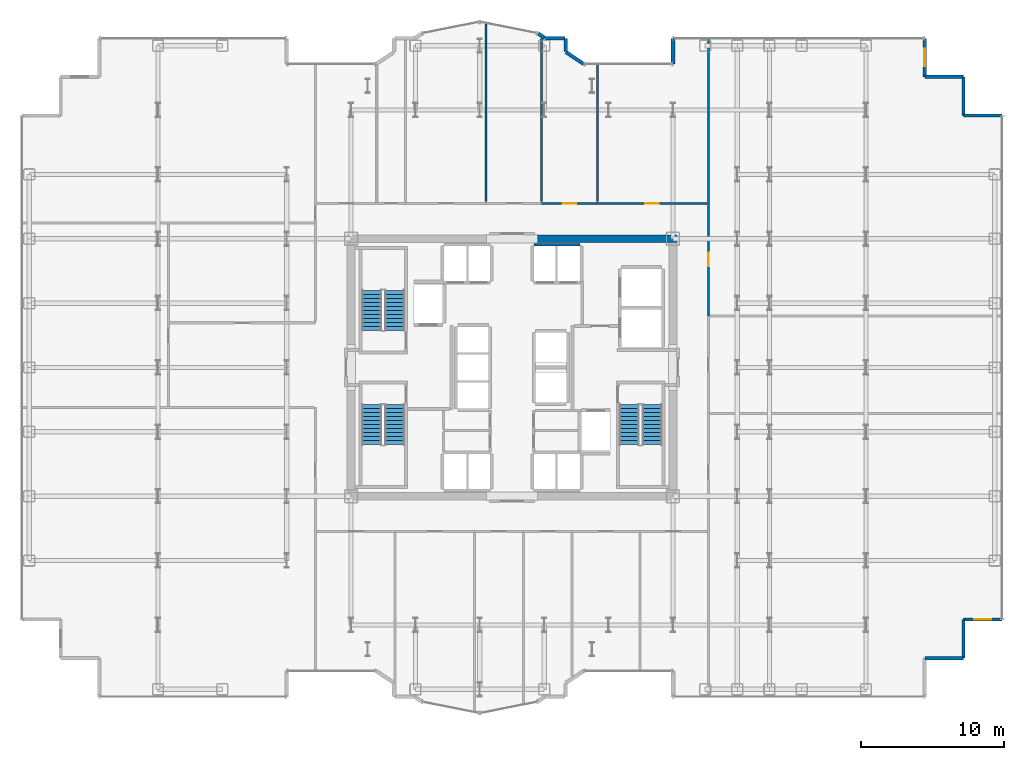
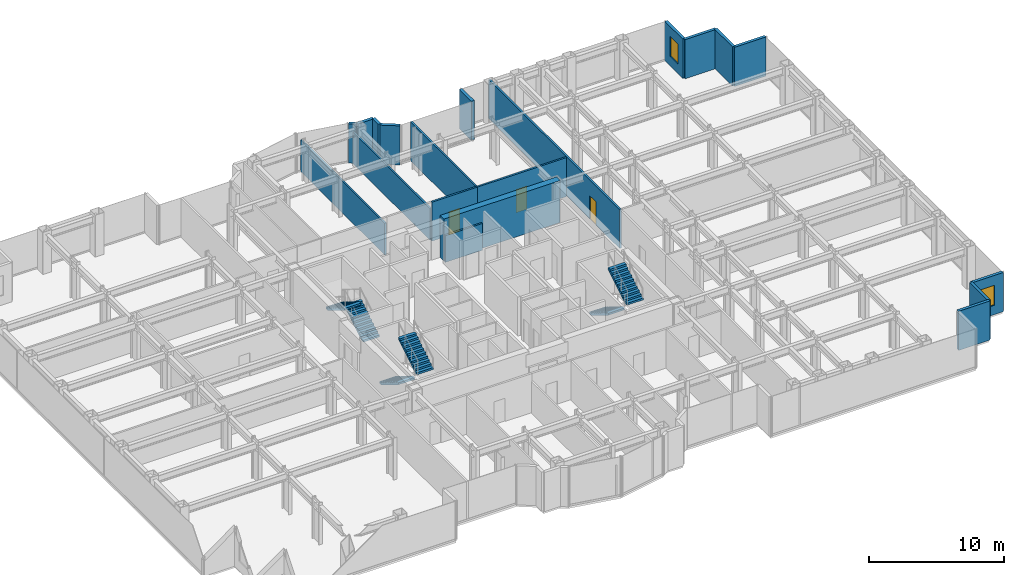
# One storey, part 24 of 25: 20 walls, 6 stair flights, 3 doors, 2 windows, 5 openings, 3 elements without a shape of their own.
"""IFC4 building model written with IfcOpenShell, lengths in metres."""

from ifc_helpers import new_model, si_unit, direction, frame, frame_2d, origin, place, context, subcontext, project, spatial, polyline, rectangle, outline, extrude, source, transform, mapped, material, layer, layer_set, type_object, element, fill, aggregate, save


model = new_model("IFC4")

# Units and contexts
model_context = context("Model", 3, precision=1e-05, world=origin(), true_north=direction((0.0, 1.0)))
body_context = subcontext(model_context, "Body", "Model", "MODEL_VIEW")
ifc_project = project(units=[si_unit("LENGTHUNIT", "METRE"), si_unit("AREAUNIT", "SQUARE_METRE"), si_unit("VOLUMEUNIT", "CUBIC_METRE"), si_unit("PLANEANGLEUNIT", "RADIAN"), si_unit("MASSUNIT", "GRAM", prefix="KILO")], contexts=[model_context])

# Site, building, storey
site_placement = place(None, origin())
site = spatial("IfcSite", under=ifc_project, at=site_placement, CompositionType="ELEMENT")
building_placement = place(site_placement, origin())
building = spatial("IfcBuilding", under=site, at=building_placement, Name="Nefas-Gora Pilgrimage Tower", CompositionType="ELEMENT")
storey_placement = place(building_placement, frame((0.0, 0.0, 109.800048828125)))
storey = spatial("IfcBuildingStorey", under=building, at=storey_placement, Name="L26", CompositionType="ELEMENT", Elevation=109.800048828125)

# Walls
ifc_material_1 = material(Name="Concrete C60/75", Category="concrete")
ifc_layer_1 = layer(ifc_material_1, 0.550048828125)
ifc_layer_set_1 = layer_set([ifc_layer_1], Name="Concrete C60/75")
wall_type_1 = type_object("IfcWallType", Name="SW-CORE-550", PredefinedType="SHEAR", material=ifc_layer_set_1)
shared_shape_1 = source(origin(), body_context, "Body", "SweptSolid", [
    extrude(rectangle(XDim=9.974853515625, YDim=0.550048828125, at=frame_2d((4.9873046875, 0.0))), origin(), (0.0, 0.0, 1.0), 3.800048828125),
])
wall_1_placement = place(storey_placement, frame((1.550048828125, 9.0, 0.0), z_axis=(0.0, 0.0, 1.0), x_axis=(1.0, 0.0, 0.0)))
element("IfcWall", 1, at=wall_1_placement, inside=storey, type_object=wall_type_1, Name="L26 Core Shear Wall N-East", PredefinedType="SHEAR", context=body_context, shape_type="MappedRepresentation", body=[
    mapped(shared_shape_1, transform((0.0, 0.0, 0.0), x_axis=(1.0, 0.0, 0.0), y_axis=(0.0, 1.0, 0.0), z_axis=(0.0, 0.0, 1.0), scale=1.0)),
])
ifc_material_2 = material(Name="Precast concrete C40/50", Category="concrete")
ifc_layer_2 = layer(ifc_material_2, 0.260009765625)
ifc_layer_set_2 = layer_set([ifc_layer_2], Name="Precast concrete C40/50")
wall_type_2 = type_object("IfcWallType", Name="EW-PORTAL-260", PredefinedType="SOLIDWALL", material=ifc_layer_set_2)
shared_shape_2 = source(origin(), body_context, "Body", "SweptSolid", [
    extrude(rectangle(XDim=1.800048828125, YDim=0.260009765625, at=frame_2d((0.89990234375, 0.0))), origin(), (0.0, 0.0, 1.0), 3.550048828125),
])
wall_2_placement = place(storey_placement, frame((11.25, 23.02001953125, 0.0), z_axis=(0.0, 0.0, 1.0), x_axis=(0.0, -1.0, 0.0)))
element("IfcWall", 2, at=wall_2_placement, inside=storey, type_object=wall_type_2, Name="L26 Lobe Shoulder Precast Spandrel Pier 10", PredefinedType="SOLIDWALL", context=body_context, shape_type="MappedRepresentation", body=[
    mapped(shared_shape_2, transform((0.0, 0.0, 0.0), x_axis=(1.0, 0.0, 0.0), y_axis=(0.0, 1.0, 0.0), z_axis=(0.0, 0.0, 1.0), scale=1.0)),
])
ifc_material_3 = material(Name="Precast concrete C45/55", Category="concrete")
ifc_layer_3 = layer(ifc_material_3, 0.239990234375)
ifc_layer_set_3 = layer_set([ifc_layer_3], Name="Precast concrete C45/55")
wall_type_3 = type_object("IfcWallType", Name="EW-SERR-240", PredefinedType="SHEAR", material=ifc_layer_set_3)
shared_shape_3 = source(origin(), body_context, "Body", "SweptSolid", [
    extrude(rectangle(XDim=2.699951171875, YDim=0.239990234375, at=frame_2d((1.35009765625, 0.0))), origin(), (0.0, 0.0, 1.0), 3.550048828125),
])
for number, where, z_axis, x_axis, name in (
    (3, (28.8701171875, -20.320068359375, 0.0), (0.0, 0.0, 1.0), (1.0, 0.0, 0.0), "L26 Serrated Corner Shear Pier Wall 3"),
    (4, (31.570068359375, -20.320068359375, 0.0), (0.0, 0.0, 1.0), (0.0, 1.0, 0.0), "L26 Serrated Corner Shear Pier Wall 4"),
):
    element("IfcWall", number, at=place(storey_placement, frame(where, z_axis=z_axis, x_axis=x_axis)), inside=storey, type_object=wall_type_3, Name=name, PredefinedType="SHEAR", context=body_context, shape_type="MappedRepresentation", body=[
        mapped(shared_shape_3, transform((0.0, 0.0, 0.0), x_axis=(1.0, 0.0, 0.0), y_axis=(0.0, 1.0, 0.0), z_axis=(0.0, 0.0, 1.0), scale=1.0)),
    ])

# Wall, opening, window
wall_3_placement = place(storey_placement, frame((31.570068359375, -17.6201171875, 0.0), z_axis=(0.0, 0.0, 1.0), x_axis=(1.0, 0.0, 0.0)))
wall_3 = element("IfcWall", 5, at=wall_3_placement, inside=storey, type_object=wall_type_3, Name="L26 Serrated Corner Shear Pier Wall 5", PredefinedType="SHEAR", context=body_context, shape_type="MappedRepresentation", body=[
    mapped(shared_shape_3, transform((0.0, 0.0, 0.0), x_axis=(1.0, 0.0, 0.0), y_axis=(0.0, 1.0, 0.0), z_axis=(0.0, 0.0, 1.0), scale=1.0)),
])
opening_1_placement = place(wall_3_placement, frame((0.75, 0.0, 0.85009765625)))
opening_1 = element("IfcOpeningElement", 6, at=opening_1_placement, cuts=wall_3, Name="Opening W-V1", PredefinedType="OPENING", context=body_context, shape_type="SweptSolid", body=[
    extrude(rectangle(XDim=1.199951171875, YDim=1.800048828125, at=frame_2d((0.60009765625, 0.89990234375))), frame((0.0, 0.1298828125, 0.0), z_axis=(0.0, -1.0, 0.0), x_axis=(1.0, 0.0, 0.0)), (0.0, 0.0, 1.0), 0.260009765625),
])
ifc_material_4 = material(Name="Dark ceramic-fritted operable aluminium-glass window", Category="aluminium")
window_type = type_object("IfcWindowType", Name="WIN-VENT-1200x1800", PartitioningType="SINGLE_PANEL", PredefinedType="WINDOW", material=ifc_material_4)
shared_shape_4 = source(origin(), body_context, "Body", "SweptSolid", [
    extrude(rectangle(XDim=1.199951171875, YDim=1.800048828125, at=frame_2d((0.60009765625, 0.89990234375))), frame((0.0, 0.030029296875, 0.0), z_axis=(0.0, -1.0, 0.0), x_axis=(1.0, 0.0, 0.0)), (0.0, 0.0, 1.0), 0.06005859375),
])
window_1_placement = place(opening_1_placement, origin())
window_1 = element("IfcWindow", 7, at=window_1_placement, inside=storey, type_object=window_type, Name="L26 Operable Parallel-Outswing Window 5", OverallHeight=1.800048828125, OverallWidth=1.199951171875, PartitioningType="SINGLE_PANEL", PredefinedType="WINDOW", context=body_context, shape_type="MappedRepresentation", body=[
    mapped(shared_shape_4, transform((0.0, 0.0, 0.0), x_axis=(1.0, 0.0, 0.0), y_axis=(0.0, 1.0, 0.0), z_axis=(0.0, 0.0, 1.0), scale=1.0)),
])
fill(opening_1, window_1)

# Walls
for number, where, z_axis, x_axis, name in (
    (8, (34.27001953125, 17.6201171875, 0.0), (0.0, 0.0, 1.0), (-1.0, 0.0, 0.0), "L26 Serrated Corner Shear Pier Wall 6"),
    (9, (31.570068359375, 17.6201171875, 0.0), (0.0, 0.0, 1.0), (0.0, 1.0, 0.0), "L26 Serrated Corner Shear Pier Wall 7"),
    (10, (31.570068359375, 20.320068359375, 0.0), (0.0, 0.0, 1.0), (-1.0, 0.0, 0.0), "L26 Serrated Corner Shear Pier Wall 8"),
):
    element("IfcWall", number, at=place(storey_placement, frame(where, z_axis=z_axis, x_axis=x_axis)), inside=storey, type_object=wall_type_3, Name=name, PredefinedType="SHEAR", context=body_context, shape_type="MappedRepresentation", body=[
        mapped(shared_shape_3, transform((0.0, 0.0, 0.0), x_axis=(1.0, 0.0, 0.0), y_axis=(0.0, 1.0, 0.0), z_axis=(0.0, 0.0, 1.0), scale=1.0)),
    ])

# Wall, opening, window
wall_4_placement = place(storey_placement, frame((28.8701171875, 20.320068359375, 0.0), z_axis=(0.0, 0.0, 1.0), x_axis=(0.0, 1.0, 0.0)))
wall_4 = element("IfcWall", 11, at=wall_4_placement, inside=storey, type_object=wall_type_3, Name="L26 Serrated Corner Shear Pier Wall 9", PredefinedType="SHEAR", context=body_context, shape_type="MappedRepresentation", body=[
    mapped(shared_shape_3, transform((0.0, 0.0, 0.0), x_axis=(1.0, 0.0, 0.0), y_axis=(0.0, 1.0, 0.0), z_axis=(0.0, 0.0, 1.0), scale=1.0)),
])
opening_2_placement = place(wall_4_placement, frame((0.75, 0.0, 0.85009765625)))
opening_2 = element("IfcOpeningElement", 12, at=opening_2_placement, cuts=wall_4, Name="Opening W-V1", PredefinedType="OPENING", context=body_context, shape_type="SweptSolid", body=[
    extrude(rectangle(XDim=1.199951171875, YDim=1.800048828125, at=frame_2d((0.60009765625, 0.89990234375))), frame((0.0, 0.1298828125, 0.0), z_axis=(0.0, -1.0, 0.0), x_axis=(1.0, 0.0, 0.0)), (0.0, 0.0, 1.0), 0.260009765625),
])
window_2_placement = place(opening_2_placement, origin())
window_2 = element("IfcWindow", 13, at=window_2_placement, inside=storey, type_object=window_type, Name="L26 Operable Parallel-Outswing Window 9", OverallHeight=1.800048828125, OverallWidth=1.199951171875, PartitioningType="SINGLE_PANEL", PredefinedType="WINDOW", context=body_context, shape_type="MappedRepresentation", body=[
    mapped(shared_shape_4, transform((0.0, 0.0, 0.0), x_axis=(1.0, 0.0, 0.0), y_axis=(0.0, 1.0, 0.0), z_axis=(0.0, 0.0, 1.0), scale=1.0)),
])
fill(opening_2, window_2)

# Walls
shared_shape_5 = source(origin(), body_context, "Body", "SweptSolid", [
    extrude(rectangle(XDim=1.468994140625, YDim=0.260009765625, at=frame_2d((0.734375, 0.0))), origin(), (0.0, 0.0, 1.0), 3.550048828125),
])
wall_5_placement = place(storey_placement, frame((4.99462890625, 21.235595703125, 0.0), z_axis=(0.0, 0.0, 1.0), x_axis=(-0.831461760506, 0.555581983884, 0.0)))
element("IfcWall", 14, at=wall_5_placement, inside=storey, type_object=wall_type_2, Name="L26 Lobe Shoulder Precast Spandrel Pier 11", PredefinedType="SOLIDWALL", context=body_context, shape_type="MappedRepresentation", body=[
    mapped(shared_shape_5, transform((0.0, 0.0, 0.0), x_axis=(1.0, 0.0, 0.0), y_axis=(0.0, 1.0, 0.0), z_axis=(0.0, 0.0, 1.0), scale=1.0)),
])
shared_shape_6 = source(origin(), body_context, "Body", "SweptSolid", [
    extrude(rectangle(XDim=0.896728515625, YDim=0.260009765625, at=frame_2d((0.4482421875, 0.0))), origin(), (0.0, 0.0, 1.0), 3.550048828125),
])
wall_6_placement = place(storey_placement, frame((3.75, 22.09521484375, 0.0), z_axis=(0.0, 0.0, 1.0), x_axis=(0.0, 1.0, 0.0)))
element("IfcWall", 15, at=wall_6_placement, inside=storey, type_object=wall_type_2, Name="L26 Lobe Shoulder Precast Spandrel Pier 12", PredefinedType="SOLIDWALL", context=body_context, shape_type="MappedRepresentation", body=[
    mapped(shared_shape_6, transform((0.0, 0.0, 0.0), x_axis=(1.0, 0.0, 0.0), y_axis=(0.0, 1.0, 0.0), z_axis=(0.0, 0.0, 1.0), scale=1.0)),
])
shared_shape_7 = source(origin(), body_context, "Body", "SweptSolid", [
    extrude(rectangle(XDim=1.369873046875, YDim=0.260009765625, at=frame_2d((0.68505859375, 0.0))), origin(), (0.0, 0.0, 1.0), 3.550048828125),
])
wall_7_placement = place(storey_placement, frame((3.721923828125, 23.02001953125, 0.0), z_axis=(0.0, 0.0, 1.0), x_axis=(-1.0, 0.0, 0.0)))
element("IfcWall", 16, at=wall_7_placement, inside=storey, type_object=wall_type_2, Name="L26 Lobe Shoulder Precast Spandrel Pier 13", PredefinedType="SOLIDWALL", context=body_context, shape_type="MappedRepresentation", body=[
    mapped(shared_shape_7, transform((0.0, 0.0, 0.0), x_axis=(1.0, 0.0, 0.0), y_axis=(0.0, 1.0, 0.0), z_axis=(0.0, 0.0, 1.0), scale=1.0)),
])
shared_shape_8 = source(origin(), body_context, "Body", "SweptSolid", [
    extrude(rectangle(XDim=0.5654296875, YDim=0.260009765625, at=frame_2d((0.28271484375, 0.0))), origin(), (0.0, 0.0, 1.0), 3.550048828125),
])
wall_8_placement = place(storey_placement, frame((2.30078125, 23.03564453125, 0.0), z_axis=(0.0, 0.0, 1.0), x_axis=(-0.831651492666, 0.555297933317, 0.0)))
element("IfcWall", 17, at=wall_8_placement, inside=storey, type_object=wall_type_2, Name="L26 Lobe Shoulder Precast Spandrel Pier 14", PredefinedType="SOLIDWALL", context=body_context, shape_type="MappedRepresentation", body=[
    mapped(shared_shape_8, transform((0.0, 0.0, 0.0), x_axis=(1.0, 0.0, 0.0), y_axis=(0.0, 1.0, 0.0), z_axis=(0.0, 0.0, 1.0), scale=1.0)),
])
ifc_material_5 = material(Name="Gypsum acoustic stud partition")
ifc_layer_4 = layer(ifc_material_5, 0.159912109375)
ifc_layer_set_4 = layer_set([ifc_layer_4], Name="Gypsum acoustic stud partition")
wall_type_4 = type_object("IfcWallType", Name="IW-CORR-160", PredefinedType="PARTITIONING", material=ifc_layer_set_4)
shared_shape_9 = source(origin(), body_context, "Body", "SweptSolid", [
    extrude(rectangle(XDim=3.199951171875, YDim=0.159912109375, at=frame_2d((1.60009765625, 0.0))), origin(), (0.0, 0.0, 1.0), 2.425048828125),
])
wall_9_placement = place(storey_placement, frame((4.75, 8.580078125, 0.0), z_axis=(0.0, 0.0, 1.0), x_axis=(-1.0, 0.0, 0.0)))
element("IfcWall", 18, at=wall_9_placement, inside=storey, type_object=wall_type_4, Name="L26 Hoistway Wall PL1-E-N", PredefinedType="PARTITIONING", context=body_context, shape_type="MappedRepresentation", body=[
    mapped(shared_shape_9, transform((0.0, 0.0, 0.0), x_axis=(1.0, 0.0, 0.0), y_axis=(0.0, 1.0, 0.0), z_axis=(0.0, 0.0, 1.0), scale=1.0)),
])
ifc_material_6 = material(Name="Gypsum twin-stud partition")
ifc_layer_5 = layer(ifc_material_6, 0.139892578125)
ifc_layer_set_5 = layer_set([ifc_layer_5], Name="Gypsum twin-stud partition")
wall_type_5 = type_object("IfcWallType", Name="IW-UNIT-140", PredefinedType="PARTITIONING", material=ifc_layer_set_5)
shared_shape_10 = source(origin(), body_context, "Body", "SweptSolid", [
    extrude(rectangle(XDim=9.64990234375, YDim=0.139892578125, at=frame_2d((4.824951171875, 0.0))), origin(), (0.0, 0.0, 1.0), 3.534912109375),
])
wall_10_placement = place(storey_placement, frame((5.969970703125, 11.590087890625, 0.0), z_axis=(0.0, 0.0, 1.0), x_axis=(0.0, 1.0, 0.0)))
element("IfcWall", 19, at=wall_10_placement, inside=storey, type_object=wall_type_5, Name="L26 Pilgrim Contemplative Lounge Partition Wall 44", PredefinedType="PARTITIONING", context=body_context, shape_type="MappedRepresentation", body=[
    mapped(shared_shape_10, transform((0.0, 0.0, 0.0), x_axis=(1.0, 0.0, 0.0), y_axis=(0.0, 1.0, 0.0), z_axis=(0.0, 0.0, 1.0), scale=1.0)),
])

# Wall, opening, door
shared_shape_11 = source(origin(), body_context, "Body", "SweptSolid", [
    extrude(rectangle(XDim=19.445068359375, YDim=0.159912109375, at=frame_2d((9.72265625, 0.0))), origin(), (0.0, 0.0, 1.0), 3.534912109375),
])
wall_11_placement = place(storey_placement, frame((13.739990234375, 3.594970703125, 0.0), z_axis=(0.0, 0.0, 1.0), x_axis=(0.0, 1.0, 0.0)))
wall_11 = element("IfcWall", 20, at=wall_11_placement, inside=storey, type_object=wall_type_4, Name="L26 Pilgrim Fellowship Seminar Room Partition Wall 39", PredefinedType="PARTITIONING", context=body_context, shape_type="MappedRepresentation", body=[
    mapped(shared_shape_11, transform((0.0, 0.0, 0.0), x_axis=(1.0, 0.0, 0.0), y_axis=(0.0, 1.0, 0.0), z_axis=(0.0, 0.0, 1.0), scale=1.0)),
])
opening_3_placement = place(wall_11_placement, frame((3.482421875, 0.0, 0.0)))
opening_3 = element("IfcOpeningElement", 21, at=opening_3_placement, cuts=wall_11, Name="Opening ID-GR1", PredefinedType="OPENING", context=body_context, shape_type="SweptSolid", body=[
    extrude(rectangle(XDim=0.949951171875, YDim=2.10009765625, at=frame_2d((0.47509765625, 1.050048828125))), frame((0.0, 0.08984375, 0.0), z_axis=(0.0, -1.0, 0.0), x_axis=(1.0, 0.0, 0.0)), (0.0, 0.0, 1.0), 0.179931640625),
])
ifc_material_7 = material(Name="Solid core oak fire-rated guest entrance door")
door_type = type_object("IfcDoorType", Name="DR-INT-GUEST-950", OperationType="NOTDEFINED", PredefinedType="DOOR", material=ifc_material_7)
shared_shape_12 = source(origin(), body_context, "Body", "SweptSolid", [
    extrude(rectangle(XDim=0.949951171875, YDim=2.10009765625, at=frame_2d((0.47509765625, 1.050048828125))), frame((0.0, 0.02490234375, 0.0), z_axis=(0.0, -1.0, 0.0), x_axis=(1.0, 0.0, 0.0)), (0.0, 0.0, 1.0), 0.050048828125),
])
door_1_placement = place(opening_3_placement, origin())
door_1 = element("IfcDoor", 22, at=door_1_placement, inside=storey, type_object=door_type, Name="L26 Pilgrim Fellowship Seminar Room Door 17", OperationType="SINGLE_SWING_LEFT", OverallHeight=2.10009765625, OverallWidth=0.949951171875, PredefinedType="DOOR", context=body_context, shape_type="MappedRepresentation", body=[
    mapped(shared_shape_12, transform((0.0, 0.0, 0.0), x_axis=(1.0, 0.0, 0.0), y_axis=(0.0, 1.0, 0.0), z_axis=(0.0, 0.0, 1.0), scale=1.0)),
])
fill(opening_3, door_1)

shared_shape_13 = source(origin(), body_context, "Body", "SweptSolid", [
    extrude(rectangle(XDim=7.66015625, YDim=0.159912109375, at=frame_2d((3.830078125, 0.0))), origin(), (0.0, 0.0, 1.0), 3.534912109375),
])
wall_12_placement = place(storey_placement, frame((5.9599609375, 11.469970703125, 0.0), z_axis=(0.0, 0.0, 1.0), x_axis=(1.0, 0.0, 0.0)))
wall_12 = element("IfcWall", 23, at=wall_12_placement, inside=storey, type_object=wall_type_4, Name="L26 Pilgrim Contemplative Lounge Partition Wall 43", PredefinedType="PARTITIONING", context=body_context, shape_type="MappedRepresentation", body=[
    mapped(shared_shape_13, transform((0.0, 0.0, 0.0), x_axis=(1.0, 0.0, 0.0), y_axis=(0.0, 1.0, 0.0), z_axis=(0.0, 0.0, 1.0), scale=1.0)),
])
opening_4_placement = place(wall_12_placement, frame((3.35498046875, 0.0, 0.0)))
opening_4 = element("IfcOpeningElement", 24, at=opening_4_placement, cuts=wall_12, Name="Opening ID-GR1", PredefinedType="OPENING", context=body_context, shape_type="SweptSolid", body=[
    extrude(rectangle(XDim=0.949951171875, YDim=2.10009765625, at=frame_2d((0.47509765625, 1.050048828125))), frame((0.0, 0.08984375, 0.0), z_axis=(0.0, -1.0, 0.0), x_axis=(1.0, 0.0, 0.0)), (0.0, 0.0, 1.0), 0.179931640625),
])
door_2_placement = place(opening_4_placement, origin())
door_2 = element("IfcDoor", 25, at=door_2_placement, inside=storey, type_object=door_type, Name="L26 Pilgrim Contemplative Lounge Door 20", OperationType="SINGLE_SWING_RIGHT", OverallHeight=2.10009765625, OverallWidth=0.949951171875, PredefinedType="DOOR", context=body_context, shape_type="MappedRepresentation", body=[
    mapped(shared_shape_12, transform((0.0, 0.0, 0.0), x_axis=(1.0, 0.0, 0.0), y_axis=(0.0, 1.0, 0.0), z_axis=(0.0, 0.0, 1.0), scale=1.0)),
])
fill(opening_4, door_2)

shared_shape_14 = source(origin(), body_context, "Body", "SweptSolid", [
    extrude(rectangle(XDim=3.882568359375, YDim=0.159912109375, at=frame_2d((1.94140625, 0.0))), origin(), (0.0, 0.0, 1.0), 3.534912109375),
])
wall_13_placement = place(storey_placement, frame((2.077392578125, 11.469970703125, 0.0), z_axis=(0.0, 0.0, 1.0), x_axis=(1.0, 0.0, 0.0)))
wall_13 = element("IfcWall", 26, at=wall_13_placement, inside=storey, type_object=wall_type_4, Name="L26 Pilgrim Contemplative Lounge Partition Wall 47", PredefinedType="PARTITIONING", context=body_context, shape_type="MappedRepresentation", body=[
    mapped(shared_shape_14, transform((0.0, 0.0, 0.0), x_axis=(1.0, 0.0, 0.0), y_axis=(0.0, 1.0, 0.0), z_axis=(0.0, 0.0, 1.0), scale=1.0)),
])
opening_5_placement = place(wall_13_placement, frame((1.46630859375, 0.0, 0.0)))
opening_5 = element("IfcOpeningElement", 27, at=opening_5_placement, cuts=wall_13, Name="Opening ID-GR1", PredefinedType="OPENING", context=body_context, shape_type="SweptSolid", body=[
    extrude(rectangle(XDim=0.949951171875, YDim=2.10009765625, at=frame_2d((0.47509765625, 1.050048828125))), frame((0.0, 0.08984375, 0.0), z_axis=(0.0, -1.0, 0.0), x_axis=(1.0, 0.0, 0.0)), (0.0, 0.0, 1.0), 0.179931640625),
])
door_3_placement = place(opening_5_placement, origin())
door_3 = element("IfcDoor", 28, at=door_3_placement, inside=storey, type_object=door_type, Name="L26 Pilgrim Contemplative Lounge Door 22", OperationType="SINGLE_SWING_RIGHT", OverallHeight=2.10009765625, OverallWidth=0.949951171875, PredefinedType="DOOR", context=body_context, shape_type="MappedRepresentation", body=[
    mapped(shared_shape_12, transform((0.0, 0.0, 0.0), x_axis=(1.0, 0.0, 0.0), y_axis=(0.0, 1.0, 0.0), z_axis=(0.0, 0.0, 1.0), scale=1.0)),
])
fill(opening_5, door_3)

# Walls
shared_shape_15 = source(origin(), body_context, "Body", "SweptSolid", [
    extrude(rectangle(XDim=12.51416015625, YDim=0.139892578125, at=frame_2d((6.257080078125, 0.0))), origin(), (0.0, 0.0, 1.0), 2.875),
])
wall_14_placement = place(storey_placement, frame((-1.804931640625, 11.590087890625, 0.0), z_axis=(0.0, 0.0, 1.0), x_axis=(0.0, 1.0, 0.0)))
element("IfcWall", 29, at=wall_14_placement, inside=storey, type_object=wall_type_5, Name="L26 Pilgrim Contemplative Lounge Partition Wall 42", PredefinedType="PARTITIONING", context=body_context, shape_type="MappedRepresentation", body=[
    mapped(shared_shape_15, transform((0.0, 0.0, 0.0), x_axis=(1.0, 0.0, 0.0), y_axis=(0.0, 1.0, 0.0), z_axis=(0.0, 0.0, 1.0), scale=1.0)),
])
shared_shape_16 = source(origin(), body_context, "Body", "SweptSolid", [
    extrude(rectangle(XDim=11.3994140625, YDim=0.139892578125, at=frame_2d((5.69970703125, 0.0))), origin(), (0.0, 0.0, 1.0), 2.875),
])
wall_15_placement = place(storey_placement, frame((2.0673828125, 11.590087890625, 0.0), z_axis=(0.0, 0.0, 1.0), x_axis=(0.0, 1.0, 0.0)))
element("IfcWall", 30, at=wall_15_placement, inside=storey, type_object=wall_type_5, Name="L26 Pilgrim Contemplative Lounge Partition Wall 46", PredefinedType="PARTITIONING", context=body_context, shape_type="MappedRepresentation", body=[
    mapped(shared_shape_16, transform((0.0, 0.0, 0.0), x_axis=(1.0, 0.0, 0.0), y_axis=(0.0, 1.0, 0.0), z_axis=(0.0, 0.0, 1.0), scale=1.0)),
])

# Stair, stair flights
ifc_material_8 = material(Name="Concrete C45/55", Category="concrete")
stair_type = type_object("IfcStairType", Name="STR-1400-R1727", PredefinedType="HALF_TURN_STAIR", material=ifc_material_8)
stair_1_placement = place(storey_placement, origin())
stair_1 = element("IfcStair", 31, at=stair_1_placement, inside=storey, type_object=stair_type, Name="L26 Pressurised Tower Exit Stair ST-01", PredefinedType="HALF_TURN_STAIR")
stair_flight_type = type_object("IfcStairFlightType", Name="STF-1400-R1727", PredefinedType="STRAIGHT", material=ifc_material_8)
shared_shape_17 = source(origin(), body_context, "Body", "SweptSolid", [
    extrude(outline(polyline([(0.0, 0.0), (0.0, 0.172607421875), (0.280029296875, 0.172607421875), (0.280029296875, 0.345458984375), (0.56005859375, 0.345458984375), (0.56005859375, 0.51806640625), (0.840087890625, 0.51806640625), (0.840087890625, 0.69091796875), (1.1201171875, 0.69091796875), (1.1201171875, 0.863525390625), (1.39990234375, 0.863525390625), (1.39990234375, 1.036376953125), (1.679931640625, 1.036376953125), (1.679931640625, 1.208984375), (1.9599609375, 1.208984375), (1.9599609375, 1.3818359375), (2.239990234375, 1.3818359375), (2.239990234375, 1.554443359375), (2.52001953125, 1.554443359375), (2.52001953125, 1.727294921875), (2.800048828125, 1.727294921875), (2.800048828125, 1.89990234375), (2.800048828125, 1.551025390625), (0.285400390625, 0.0), (0.0, 0.0)])), frame((0.0, 0.699951171875, 0.0), z_axis=(0.0, -1.0, 0.0), x_axis=(1.0, 0.0, 0.0)), (0.0, 0.0, 1.0), 1.39990234375),
])
stair_flight_1_placement = place(storey_placement, frame((-8.199951171875, 2.60009765625, 0.0), z_axis=(0.0, 0.0, 1.0), x_axis=(0.0, 1.0, 0.0)))
stair_flight_1 = element("IfcStairFlight", 32, at=stair_flight_1_placement, type_object=stair_flight_type, Name="ST-01 flight 1", NumberOfRisers=11, NumberOfTreads=10, PredefinedType="STRAIGHT", RiserHeight=0.172727273, TreadLength=0.28, context=body_context, shape_type="MappedRepresentation", body=[
    mapped(shared_shape_17, transform((0.0, 0.0, 0.0), x_axis=(1.0, 0.0, 0.0), y_axis=(0.0, 1.0, 0.0), z_axis=(0.0, 0.0, 1.0), scale=1.0)),
])
stair_flight_2_placement = place(storey_placement, frame((-9.800048828125, 5.39990234375, 1.89990234375), z_axis=(0.0, 0.0, 1.0), x_axis=(0.0, -1.0, 0.0)))
stair_flight_2 = element("IfcStairFlight", 33, at=stair_flight_2_placement, type_object=stair_flight_type, Name="ST-01 flight 2", NumberOfRisers=11, NumberOfTreads=10, PredefinedType="STRAIGHT", RiserHeight=0.172727273, TreadLength=0.28, context=body_context, shape_type="MappedRepresentation", body=[
    mapped(shared_shape_17, transform((0.0, 0.0, 0.0), x_axis=(1.0, 0.0, 0.0), y_axis=(0.0, 1.0, 0.0), z_axis=(0.0, 0.0, 1.0), scale=1.0)),
])
aggregate(stair_1, [stair_flight_1, stair_flight_2])

stair_2_placement = place(storey_placement, origin())
stair_2 = element("IfcStair", 34, at=stair_2_placement, inside=storey, type_object=stair_type, Name="L26 Pressurised Tower Exit Stair ST-02", PredefinedType="HALF_TURN_STAIR")
stair_flight_3_placement = place(storey_placement, frame((8.199951171875, -2.60009765625, 0.0), z_axis=(0.0, 0.0, 1.0), x_axis=(0.0, -1.0, 0.0)))
stair_flight_3 = element("IfcStairFlight", 35, at=stair_flight_3_placement, type_object=stair_flight_type, Name="ST-02 flight 1", NumberOfRisers=11, NumberOfTreads=10, PredefinedType="STRAIGHT", RiserHeight=0.172727273, TreadLength=0.28, context=body_context, shape_type="MappedRepresentation", body=[
    mapped(shared_shape_17, transform((0.0, 0.0, 0.0), x_axis=(1.0, 0.0, 0.0), y_axis=(0.0, 1.0, 0.0), z_axis=(0.0, 0.0, 1.0), scale=1.0)),
])
stair_flight_4_placement = place(storey_placement, frame((9.800048828125, -5.39990234375, 1.89990234375), z_axis=(0.0, 0.0, 1.0), x_axis=(0.0, 1.0, 0.0)))
stair_flight_4 = element("IfcStairFlight", 36, at=stair_flight_4_placement, type_object=stair_flight_type, Name="ST-02 flight 2", NumberOfRisers=11, NumberOfTreads=10, PredefinedType="STRAIGHT", RiserHeight=0.172727273, TreadLength=0.28, context=body_context, shape_type="MappedRepresentation", body=[
    mapped(shared_shape_17, transform((0.0, 0.0, 0.0), x_axis=(1.0, 0.0, 0.0), y_axis=(0.0, 1.0, 0.0), z_axis=(0.0, 0.0, 1.0), scale=1.0)),
])
aggregate(stair_2, [stair_flight_3, stair_flight_4])

stair_3_placement = place(storey_placement, origin())
stair_3 = element("IfcStair", 37, at=stair_3_placement, inside=storey, type_object=stair_type, Name="L26 Pressurised Tower Exit Stair ST-03", PredefinedType="HALF_TURN_STAIR")
stair_flight_5_placement = place(storey_placement, frame((-9.800048828125, -2.60009765625, 0.0), z_axis=(0.0, 0.0, 1.0), x_axis=(0.0, -1.0, 0.0)))
stair_flight_5 = element("IfcStairFlight", 38, at=stair_flight_5_placement, type_object=stair_flight_type, Name="ST-03 flight 1", NumberOfRisers=11, NumberOfTreads=10, PredefinedType="STRAIGHT", RiserHeight=0.172727273, TreadLength=0.28, context=body_context, shape_type="MappedRepresentation", body=[
    mapped(shared_shape_17, transform((0.0, 0.0, 0.0), x_axis=(1.0, 0.0, 0.0), y_axis=(0.0, 1.0, 0.0), z_axis=(0.0, 0.0, 1.0), scale=1.0)),
])
stair_flight_6_placement = place(storey_placement, frame((-8.199951171875, -5.39990234375, 1.89990234375), z_axis=(0.0, 0.0, 1.0), x_axis=(0.0, 1.0, 0.0)))
stair_flight_6 = element("IfcStairFlight", 39, at=stair_flight_6_placement, type_object=stair_flight_type, Name="ST-03 flight 2", NumberOfRisers=11, NumberOfTreads=10, PredefinedType="STRAIGHT", RiserHeight=0.172727273, TreadLength=0.28, context=body_context, shape_type="MappedRepresentation", body=[
    mapped(shared_shape_17, transform((0.0, 0.0, 0.0), x_axis=(1.0, 0.0, 0.0), y_axis=(0.0, 1.0, 0.0), z_axis=(0.0, 0.0, 1.0), scale=1.0)),
])
aggregate(stair_3, [stair_flight_5, stair_flight_6])

save(model, "model.ifc")
